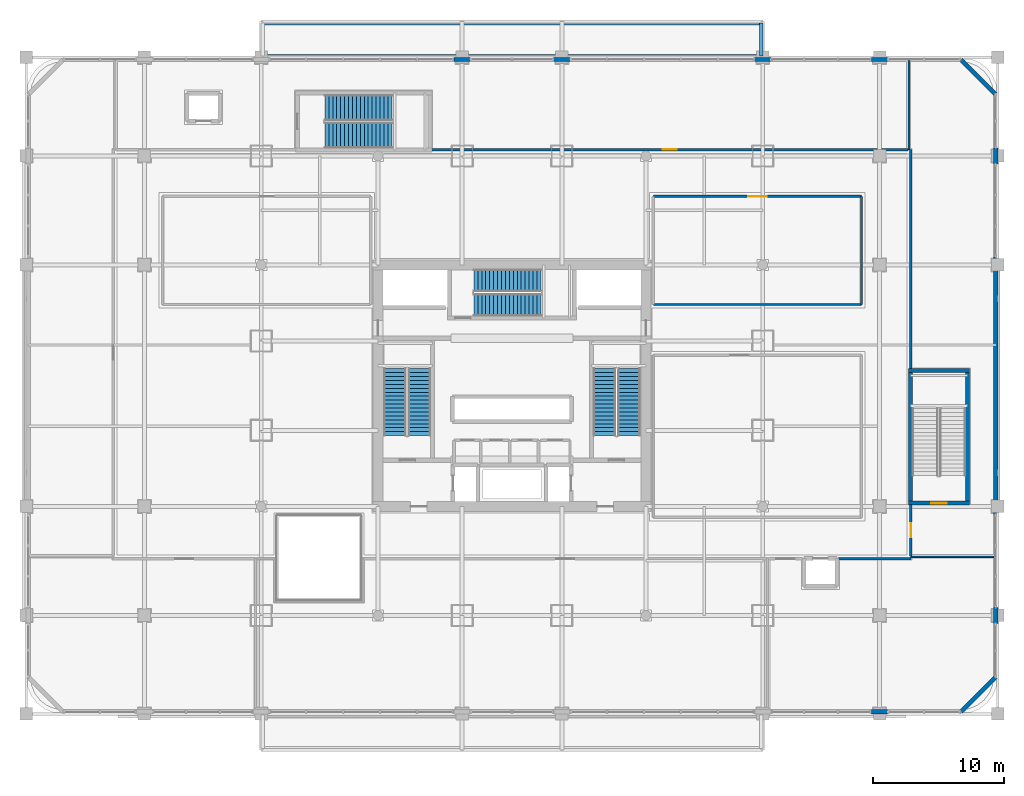
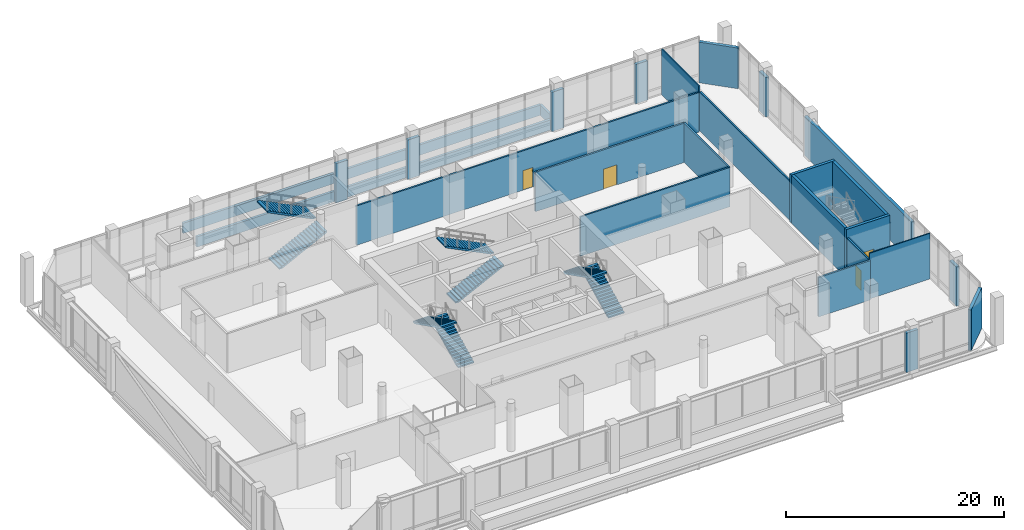
# One storey, part 31 of 43: 26 walls, 8 stair flights, 4 doors, 4 openings, 4 elements without a shape of their own.
"""IFC4 building model written with IfcOpenShell, lengths in metres."""

from ifc_helpers import new_model, si_unit, direction, frame, frame_2d, origin, place, context, subcontext, project, spatial, polyline, rectangle, outline, extrude, material, layer, layer_set, type_object, element, fill, aggregate, save


model = new_model("IFC4")

# Units and contexts
model_context = context("Model", 3, precision=1e-05, world=origin(), true_north=direction((0.0, 1.0)))
body_context = subcontext(model_context, "Body", "Model", "MODEL_VIEW")
ifc_project = project(units=[si_unit("LENGTHUNIT", "METRE"), si_unit("AREAUNIT", "SQUARE_METRE"), si_unit("VOLUMEUNIT", "CUBIC_METRE"), si_unit("PLANEANGLEUNIT", "RADIAN"), si_unit("MASSUNIT", "GRAM", prefix="KILO")], contexts=[model_context])

# Site, building, storey
site_placement = place(None, origin())
site = spatial("IfcSite", under=ifc_project, at=site_placement, CompositionType="ELEMENT")
building_placement = place(site_placement, origin())
building = spatial("IfcBuilding", under=site, at=building_placement, Name="Punatoya Terracotta Tower", CompositionType="ELEMENT")
storey_placement = place(building_placement, frame((0.0, 0.0, 6.0)))
storey = spatial("IfcBuildingStorey", under=building, at=storey_placement, Name="L01", CompositionType="ELEMENT", Elevation=6.0)

# Wall
ifc_material_1 = material(Name="Gypsum Fireboard + Steel Stud", Category="steel")
ifc_layer_1 = layer(ifc_material_1, 0.179931640625)
ifc_layer_set_1 = layer_set([ifc_layer_1], Name="Gypsum Fireboard + Steel Stud")
wall_type_1 = type_object("IfcWallType", Name="WL-CORR-180", PredefinedType="PARTITIONING", material=ifc_layer_set_1)
wall_1_placement = place(storey_placement, frame((24.860107421875, -13.179931640625, 0.0), z_axis=(0.0, 0.0, 1.0), x_axis=(1.0, 0.0, 0.0)))
element("IfcWall", 1, at=wall_1_placement, inside=storey, type_object=wall_type_1, Name="L01 South-East Waterfront Symposium Room Partition 20", PredefinedType="PARTITIONING", context=body_context, shape_type="SweptSolid", body=[
    extrude(rectangle(XDim=5.519775390625, YDim=0.179931640625, at=frame_2d((2.759765625, 0.0))), origin(), (0.0, 0.0, 1.0), 4.4140625),
])

# Wall, opening, door
wall_2_placement = place(storey_placement, frame((30.3798828125, -12.9599609375, 0.0), z_axis=(0.0, 0.0, 1.0), x_axis=(0.0, 1.0, 0.0)))
wall_2 = element("IfcWall", 2, at=wall_2_placement, inside=storey, type_object=wall_type_1, Name="L01 East Client Hospitality Centre Partition 24", PredefinedType="PARTITIONING", context=body_context, shape_type="SweptSolid", body=[
    extrude(rectangle(XDim=3.89990234375, YDim=0.179931640625, at=frame_2d((1.949951171875, 0.0))), origin(), (0.0, 0.0, 1.0), 4.4140625),
])
opening_1_placement = place(wall_2_placement, frame((1.425048828125, 0.0, 0.0)))
opening_1 = element("IfcOpeningElement", 3, at=opening_1_placement, cuts=wall_2, Name="Opening OD-01", PredefinedType="OPENING", context=body_context, shape_type="SweptSolid", body=[
    extrude(rectangle(XDim=1.050048828125, YDim=2.199951171875, at=frame_2d((0.52490234375, 1.10009765625))), frame((0.0, 0.099853515625, 0.0), z_axis=(0.0, -1.0, 0.0), x_axis=(1.0, 0.0, 0.0)), (0.0, 0.0, 1.0), 0.199951171875),
])
ifc_material_2 = material(Name="Bengal Teak Solid-Core Leaf")
door_type_1 = type_object("IfcDoorType", Name="DR-OFF-1050", OperationType="NOTDEFINED", PredefinedType="DOOR", material=ifc_material_2)
door_1_placement = place(opening_1_placement, origin())
door_1 = element("IfcDoor", 4, at=door_1_placement, inside=storey, type_object=door_type_1, Name="L01 East Client Hospitality Centre Door", OperationType="SINGLE_SWING_RIGHT", OverallHeight=2.199951171875, OverallWidth=1.050048828125, PredefinedType="DOOR", context=body_context, shape_type="SweptSolid", body=[
    extrude(rectangle(XDim=1.050048828125, YDim=2.199951171875, at=frame_2d((0.52490234375, 1.10009765625))), frame((0.0, 0.02490234375, 0.0), z_axis=(0.0, -1.0, 0.0), x_axis=(1.0, 0.0, 0.0)), (0.0, 0.0, 1.0), 0.050048828125),
])
fill(opening_1, door_1)

# Wall
wall_3_placement = place(storey_placement, frame((30.3798828125, 1.260009765625, 0.0), z_axis=(0.0, 0.0, 1.0), x_axis=(0.0, 1.0, 0.0)))
element("IfcWall", 5, at=wall_3_placement, inside=storey, type_object=wall_type_1, Name="L01 East Client Hospitality Centre Partition 25", PredefinedType="PARTITIONING", context=body_context, shape_type="SweptSolid", body=[
    extrude(rectangle(XDim=16.719970703125, YDim=0.179931640625, at=frame_2d((8.35986328125, 0.0))), origin(), (0.0, 0.0, 1.0), 4.4140625),
])

# Wall, opening, door
wall_4_placement = place(storey_placement, frame((30.159912109375, 17.97998046875, 0.0), z_axis=(0.0, 0.0, 1.0), x_axis=(-1.0, 0.0, 0.0)))
wall_4 = element("IfcWall", 6, at=wall_4_placement, inside=storey, type_object=wall_type_1, Name="L01 North Podium Administration Workplace Partition 27", PredefinedType="PARTITIONING", context=body_context, shape_type="SweptSolid", body=[
    extrude(rectangle(XDim=36.2998046875, YDim=0.179931640625, at=frame_2d((18.14990234375, 0.0))), origin(), (0.0, 0.0, 1.0), 4.4140625),
])
opening_2_placement = place(wall_4_placement, frame((17.625, 0.0, 0.0)))
opening_2 = element("IfcOpeningElement", 7, at=opening_2_placement, cuts=wall_4, Name="Opening OD-01", PredefinedType="OPENING", context=body_context, shape_type="SweptSolid", body=[
    extrude(rectangle(XDim=1.050048828125, YDim=2.199951171875, at=frame_2d((0.52490234375, 1.10009765625))), frame((0.0, 0.099853515625, 0.0), z_axis=(0.0, -1.0, 0.0), x_axis=(1.0, 0.0, 0.0)), (0.0, 0.0, 1.0), 0.199951171875),
])
door_2_placement = place(opening_2_placement, origin())
door_2 = element("IfcDoor", 8, at=door_2_placement, inside=storey, type_object=door_type_1, Name="L01 North Podium Administration Workplace Door", OperationType="SINGLE_SWING_LEFT", OverallHeight=2.199951171875, OverallWidth=1.050048828125, PredefinedType="DOOR", context=body_context, shape_type="SweptSolid", body=[
    extrude(rectangle(XDim=1.050048828125, YDim=2.199951171875, at=frame_2d((0.52490234375, 1.10009765625))), frame((0.0, 0.02490234375, 0.0), z_axis=(0.0, -1.0, 0.0), x_axis=(1.0, 0.0, 0.0)), (0.0, 0.0, 1.0), 0.050048828125),
])
fill(opening_2, door_2)

wall_5_placement = place(storey_placement, frame((10.760009765625, 14.419921875, 0.0), z_axis=(0.0, 0.0, 1.0), x_axis=(1.0, 0.0, 0.0)))
wall_5 = element("IfcWall", 9, at=wall_5_placement, inside=storey, type_object=wall_type_1, Name="L01 Press Briefing and Translation Studio Partition 33", PredefinedType="PARTITIONING", context=body_context, shape_type="SweptSolid", body=[
    extrude(rectangle(XDim=15.860107421875, YDim=0.179931640625, at=frame_2d((7.93017578125, 0.0))), origin(), (0.0, 0.0, 1.0), 4.4140625),
])
opening_3_placement = place(wall_5_placement, frame((7.22998046875, 0.0, 0.0)))
opening_3 = element("IfcOpeningElement", 10, at=opening_3_placement, cuts=wall_5, Name="Opening BD-01", PredefinedType="OPENING", context=body_context, shape_type="SweptSolid", body=[
    extrude(rectangle(XDim=1.39990234375, YDim=2.25, at=frame_2d((0.699951171875, 1.125))), frame((0.0, 0.099853515625, 0.0), z_axis=(0.0, -1.0, 0.0), x_axis=(1.0, 0.0, 0.0)), (0.0, 0.0, 1.0), 0.199951171875),
])
ifc_material_3 = material(Name="Bengal Teak Acoustic Leaf")
door_type_2 = type_object("IfcDoorType", Name="DR-BRD-1400", OperationType="NOTDEFINED", PredefinedType="DOOR", material=ifc_material_3)
door_3_placement = place(opening_3_placement, origin())
door_3 = element("IfcDoor", 11, at=door_3_placement, inside=storey, type_object=door_type_2, Name="L01 Press Briefing and Translation Studio Door", OperationType="SINGLE_SWING_LEFT", OverallHeight=2.25, OverallWidth=1.39990234375, PredefinedType="DOOR", context=body_context, shape_type="SweptSolid", body=[
    extrude(rectangle(XDim=1.39990234375, YDim=2.25, at=frame_2d((0.699951171875, 1.125))), frame((0.0, 0.02490234375, 0.0), z_axis=(0.0, -1.0, 0.0), x_axis=(1.0, 0.0, 0.0)), (0.0, 0.0, 1.0), 0.050048828125),
])
fill(opening_3, door_3)

# Walls
wall_6_placement = place(storey_placement, frame((26.6201171875, 14.419921875, 0.0), z_axis=(0.0, 0.0, 1.0), x_axis=(0.0, -1.0, 0.0)))
element("IfcWall", 12, at=wall_6_placement, inside=storey, type_object=wall_type_1, Name="L01 Press Briefing and Translation Studio Partition 34", PredefinedType="PARTITIONING", context=body_context, shape_type="SweptSolid", body=[
    extrude(rectangle(XDim=8.239990234375, YDim=0.179931640625, at=frame_2d((4.1201171875, 0.0))), origin(), (0.0, 0.0, 1.0), 4.4140625),
])
wall_7_placement = place(storey_placement, frame((26.6201171875, 6.179931640625, 0.0), z_axis=(0.0, 0.0, 1.0), x_axis=(-1.0, 0.0, 0.0)))
element("IfcWall", 13, at=wall_7_placement, inside=storey, type_object=wall_type_1, Name="L01 Press Briefing and Translation Studio Partition 35", PredefinedType="PARTITIONING", context=body_context, shape_type="SweptSolid", body=[
    extrude(rectangle(XDim=15.860107421875, YDim=0.179931640625, at=frame_2d((7.93017578125, 0.0))), origin(), (0.0, 0.0, 1.0), 4.4140625),
])
ifc_material_4 = material(Name="Precast concrete C40/50", Category="concrete")
ifc_layer_2 = layer(ifc_material_4, 0.320068359375)
ifc_layer_set_2 = layer_set([ifc_layer_2], Name="Precast concrete C40/50")
wall_type_2 = type_object("IfcWallType", Name="WL-EXT-320", PredefinedType="SOLIDWALL", material=ifc_layer_set_2)
for number, where, z_axis, x_axis, name in (
    (14, (-3.179931640625, 24.840087890625, 0.0), (0.0, 0.0, 1.0), (-1.0, 0.0, 0.0), "L01 North Column Cladding Pier 3"),
    (15, (4.419921875, 24.840087890625, 0.0), (0.0, 0.0, 1.0), (-1.0, 0.0, 0.0), "L01 North Column Cladding Pier 4"),
    (16, (19.719970703125, 24.840087890625, 0.0), (0.0, 0.0, 1.0), (-1.0, 0.0, 0.0), "L01 North Column Cladding Pier 5"),
):
    element("IfcWall", number, at=place(storey_placement, frame(where, z_axis=z_axis, x_axis=x_axis)), inside=storey, type_object=wall_type_2, Name=name, PredefinedType="SOLIDWALL", context=body_context, shape_type="SweptSolid", body=[
        extrude(rectangle(XDim=1.239990234375, YDim=0.320068359375, at=frame_2d((0.6201171875, 0.0))), origin(), (0.0, 0.0, 1.0), 4.4140625),
    ])
for number, where, z_axis, x_axis, name in (
    (17, (27.3798828125, -24.840087890625, 0.0), (0.0, 0.0, 1.0), (1.0, 0.0, 0.0), "L01 South Column Cladding Pier 6"),
    (18, (28.6201171875, 24.840087890625, 0.0), (0.0, 0.0, 1.0), (-1.0, 0.0, 0.0), "L01 North Column Cladding Pier 6"),
):
    element("IfcWall", number, at=place(storey_placement, frame(where, z_axis=z_axis, x_axis=x_axis)), inside=storey, type_object=wall_type_2, Name=name, PredefinedType="SOLIDWALL", context=body_context, shape_type="SweptSolid", body=[
        extrude(rectangle(XDim=1.240234375, YDim=0.320068359375, at=frame_2d((0.6201171875, 0.0))), origin(), (0.0, 0.0, 1.0), 4.4140625),
    ])
wall_8_placement = place(storey_placement, frame((36.840087890625, 9.820068359375, 0.0), z_axis=(0.0, 0.0, 1.0), x_axis=(0.0, -1.0, 0.0)))
element("IfcWall", 19, at=wall_8_placement, inside=storey, type_object=wall_type_2, Name="L01 East Braced Terracotta Shear Wall", PredefinedType="SOLIDWALL", context=body_context, shape_type="SweptSolid", body=[
    extrude(rectangle(XDim=19.64013671875, YDim=0.320068359375, at=frame_2d((9.820068359375, 0.0))), origin(), (0.0, 0.0, 1.0), 4.4140625),
])
for number, where, z_axis, x_axis, name in (
    (20, (36.840087890625, -16.8798828125, 0.0), (0.0, 0.0, 1.0), (0.0, -1.0, 0.0), "L01 East Pier 11-B"),
    (21, (36.840087890625, 18.1201171875, 0.0), (0.0, 0.0, 1.0), (0.0, -1.0, 0.0), "L01 East Pier 11-G"),
):
    element("IfcWall", number, at=place(storey_placement, frame(where, z_axis=z_axis, x_axis=x_axis)), inside=storey, type_object=wall_type_2, Name=name, PredefinedType="SOLIDWALL", context=body_context, shape_type="SweptSolid", body=[
        extrude(rectangle(XDim=1.240234375, YDim=0.320068359375, at=frame_2d((0.6201171875, 0.0))), origin(), (0.0, 0.0, 1.0), 4.4140625),
    ])
for number, where, z_axis, x_axis, name in (
    (22, (34.199951171875, 24.840087890625, 0.0), (0.0, 0.0, 1.0), (0.707106781187, -0.707106781187, 0.0), "L01 Terracotta Corner Pier 3"),
    (23, (36.840087890625, -22.199951171875, 0.0), (0.0, 0.0, 1.0), (-0.707106781187, -0.707106781187, 0.0), "L01 Terracotta Corner Pier 4"),
):
    element("IfcWall", number, at=place(storey_placement, frame(where, z_axis=z_axis, x_axis=x_axis)), inside=storey, type_object=wall_type_2, Name=name, PredefinedType="SOLIDWALL", context=body_context, shape_type="SweptSolid", body=[
        extrude(rectangle(XDim=3.733642578125, YDim=0.320068359375, at=frame_2d((1.86669921875, 0.0))), origin(), (0.0, 0.0, 1.0), 4.56396484375),
    ])
ifc_material_5 = material(Name="Gypsum Partition + Steel Stud", Category="steel")
ifc_layer_3 = layer(ifc_material_5, 0.1201171875)
ifc_layer_set_3 = layer_set([ifc_layer_3], Name="Gypsum Partition + Steel Stud")
wall_type_3 = type_object("IfcWallType", Name="WL-OFF-120", PredefinedType="PARTITIONING", material=ifc_layer_set_3)
wall_9_placement = place(storey_placement, frame((30.3798828125, -13.0400390625, 0.0), z_axis=(0.0, 0.0, 1.0), x_axis=(1.0, 0.0, 0.0)))
element("IfcWall", 24, at=wall_9_placement, inside=storey, type_object=wall_type_3, Name="L01 South-East Waterfront Symposium Room Partition 21", PredefinedType="PARTITIONING", context=body_context, shape_type="SweptSolid", body=[
    extrude(rectangle(XDim=6.400146484375, YDim=0.1201171875, at=frame_2d((3.2001953125, 0.0))), origin(), (0.0, 0.0, 1.0), 5.1201171875),
])
wall_10_placement = place(storey_placement, frame((30.239990234375, 17.97998046875, 0.0), z_axis=(0.0, 0.0, 1.0), x_axis=(0.0, 1.0, 0.0)))
element("IfcWall", 25, at=wall_10_placement, inside=storey, type_object=wall_type_3, Name="L01 East Client Hospitality Centre Partition 26", PredefinedType="PARTITIONING", context=body_context, shape_type="SweptSolid", body=[
    extrude(rectangle(XDim=6.800048828125, YDim=0.1201171875, at=frame_2d((3.39990234375, 0.0))), origin(), (0.0, 0.0, 1.0), 5.1201171875),
])
ifc_layer_4 = layer(ifc_material_4, 0.260009765625)
ifc_layer_set_4 = layer_set([ifc_layer_4], Name="Precast concrete C40/50")
wall_type_4 = type_object("IfcWallType", Name="WL-PAR-260", PredefinedType="PARAPET", material=ifc_layer_set_4)
wall_11_placement = place(storey_placement, frame((-19.0, 25.10009765625, 0.0), z_axis=(0.0, 0.0, 1.0), x_axis=(1.0, 0.0, 0.0)))
element("IfcWall", 26, at=wall_11_placement, inside=storey, type_object=wall_type_4, Name="L01 Roof Parapet Wall PAR-L01-CANN-01", PredefinedType="PARAPET", context=body_context, shape_type="SweptSolid", body=[
    extrude(rectangle(XDim=38.0, YDim=0.260009765625, at=frame_2d((19.0, 0.0))), origin(), (0.0, 0.0, 1.0), 1.14990234375),
])
wall_12_placement = place(storey_placement, frame((19.0, 25.10009765625, 0.0), z_axis=(0.0, 0.0, 1.0), x_axis=(0.0, 1.0, 0.0)))
element("IfcWall", 27, at=wall_12_placement, inside=storey, type_object=wall_type_4, Name="L01 Roof Parapet Wall PAR-L01-CANN-02", PredefinedType="PARAPET", context=body_context, shape_type="SweptSolid", body=[
    extrude(rectangle(XDim=2.52001953125, YDim=0.260009765625, at=frame_2d((1.260009765625, 0.0))), origin(), (0.0, 0.0, 1.0), 1.14990234375),
])
wall_13_placement = place(storey_placement, frame((19.0, 27.6201171875, 0.0), z_axis=(0.0, 0.0, 1.0), x_axis=(-1.0, 0.0, 0.0)))
element("IfcWall", 28, at=wall_13_placement, inside=storey, type_object=wall_type_4, Name="L01 Roof Parapet Wall PAR-L01-CANN-03", PredefinedType="PARAPET", context=body_context, shape_type="SweptSolid", body=[
    extrude(rectangle(XDim=38.0, YDim=0.260009765625, at=frame_2d((19.0, 0.0))), origin(), (0.0, 0.0, 1.0), 1.14990234375),
])

# Wall, opening, door
ifc_material_6 = material(Name="Concrete C40/50", Category="concrete")
ifc_layer_5 = layer(ifc_material_6, 0.300048828125)
ifc_layer_set_5 = layer_set([ifc_layer_5], Name="Concrete C40/50")
wall_type_5 = type_object("IfcWallType", Name="WL-SHF-300", PredefinedType="SOLIDWALL", material=ifc_layer_set_5)
wall_14_placement = place(storey_placement, frame((30.199951171875, -8.949951171875, 0.0), z_axis=(0.0, 0.0, 1.0), x_axis=(1.0, 0.0, 0.0)))
wall_14 = element("IfcWall", 29, at=wall_14_placement, inside=storey, type_object=wall_type_5, Name="L01 ST-P2 South Structural Shaft Wall", PredefinedType="SOLIDWALL", context=body_context, shape_type="SweptSolid", body=[
    extrude(rectangle(XDim=4.650146484375, YDim=0.300048828125, at=frame_2d((2.3251953125, 0.0))), origin(), (0.0, 0.0, 1.0), 5.39990234375),
])
opening_4_placement = place(wall_14_placement, frame((1.735107421875, 0.0, 0.0)))
opening_4 = element("IfcOpeningElement", 30, at=opening_4_placement, cuts=wall_14, Name="Opening SD-01", PredefinedType="OPENING", context=body_context, shape_type="SweptSolid", body=[
    extrude(rectangle(XDim=1.179931640625, YDim=2.199951171875, at=frame_2d((0.58984375, 1.10009765625))), frame((0.0, 0.159912109375, 0.0), z_axis=(0.0, -1.0, 0.0), x_axis=(1.0, 0.0, 0.0)), (0.0, 0.0, 1.0), 0.320068359375),
])
ifc_material_7 = material(Name="Galvanised Steel Pressurized Stair Fire Door", Category="steel")
door_type_3 = type_object("IfcDoorType", Name="DR-STR-1180", OperationType="NOTDEFINED", PredefinedType="DOOR", material=ifc_material_7)
door_4_placement = place(opening_4_placement, origin())
door_4 = element("IfcDoor", 31, at=door_4_placement, inside=storey, type_object=door_type_3, Name="L01 Podium Stair ST-P2 Fire Door", OperationType="SINGLE_SWING_RIGHT", OverallHeight=2.199951171875, OverallWidth=1.179931640625, PredefinedType="DOOR", context=body_context, shape_type="SweptSolid", body=[
    extrude(rectangle(XDim=1.179931640625, YDim=2.199951171875, at=frame_2d((0.58984375, 1.10009765625))), frame((0.0, 0.02490234375, 0.0), z_axis=(0.0, -1.0, 0.0), x_axis=(1.0, 0.0, 0.0)), (0.0, 0.0, 1.0), 0.050048828125),
])
fill(opening_4, door_4)

# Walls
wall_15_placement = place(storey_placement, frame((34.85009765625, 1.14990234375, 0.0), z_axis=(0.0, 0.0, 1.0), x_axis=(-1.0, 0.0, 0.0)))
element("IfcWall", 32, at=wall_15_placement, inside=storey, type_object=wall_type_5, Name="L01 ST-P2 North Structural Shaft Wall", PredefinedType="SOLIDWALL", context=body_context, shape_type="SweptSolid", body=[
    extrude(rectangle(XDim=4.650146484375, YDim=0.300048828125, at=frame_2d((2.3251953125, 0.0))), origin(), (0.0, 0.0, 1.0), 5.39990234375),
])
for number, where, z_axis, x_axis, name in (
    (33, (30.35009765625, -8.800048828125, 0.0), (0.0, 0.0, 1.0), (0.0, 1.0, 0.0), "L01 ST-P2 West Structural Shaft Wall"),
    (34, (34.699951171875, 1.0, 0.0), (0.0, 0.0, 1.0), (0.0, -1.0, 0.0), "L01 ST-P2 East Structural Shaft Wall"),
):
    element("IfcWall", number, at=place(storey_placement, frame(where, z_axis=z_axis, x_axis=x_axis)), inside=storey, type_object=wall_type_5, Name=name, PredefinedType="SOLIDWALL", context=body_context, shape_type="SweptSolid", body=[
        extrude(rectangle(XDim=9.800048828125, YDim=0.300048828125, at=frame_2d((4.89990234375, 0.0))), origin(), (0.0, 0.0, 1.0), 5.39990234375),
    ])

# Stair, stair flights
stair_type_1 = type_object("IfcStairType", Name="STR-CORE-1550", PredefinedType="HALF_TURN_STAIR", material=ifc_material_6)
stair_1_placement = place(storey_placement, origin())
stair_1 = element("IfcStair", 35, at=stair_1_placement, inside=storey, type_object=stair_type_1, Name="L01 Protected Core Exit Stair ST-1", PredefinedType="HALF_TURN_STAIR")
stair_flight_type_1 = type_object("IfcStairFlightType", Name="SFL-CORE-1550", PredefinedType="STRAIGHT", material=ifc_material_6)
stair_flight_1_placement = place(storey_placement, frame((-7.050048828125, -3.800048828125, 0.0), z_axis=(0.0, 0.0, 1.0), x_axis=(0.0, 1.0, 0.0)))
stair_flight_1 = element("IfcStairFlight", 36, at=stair_flight_1_placement, type_object=stair_flight_type_1, Name="ST-1 flight 1", NumberOfRisers=18, NumberOfTreads=17, PredefinedType="STRAIGHT", RiserHeight=0.15, TreadLength=0.3, context=body_context, shape_type="SweptSolid", body=[
    extrude(outline(polyline([(0.0, 0.0), (0.0, 0.14990234375), (0.300048828125, 0.14990234375), (0.300048828125, 0.300048828125), (0.60009765625, 0.300048828125), (0.60009765625, 0.449951171875), (0.89990234375, 0.449951171875), (0.89990234375, 0.60009765625), (1.199951171875, 0.60009765625), (1.199951171875, 0.75), (1.5, 0.75), (1.5, 0.89990234375), (1.800048828125, 0.89990234375), (1.800048828125, 1.050048828125), (2.10009765625, 1.050048828125), (2.10009765625, 1.199951171875), (2.39990234375, 1.199951171875), (2.39990234375, 1.35009765625), (2.699951171875, 1.35009765625), (2.699951171875, 1.5), (3.0, 1.5), (3.0, 1.64990234375), (3.300048828125, 1.64990234375), (3.300048828125, 1.800048828125), (3.60009765625, 1.800048828125), (3.60009765625, 1.949951171875), (3.89990234375, 1.949951171875), (3.89990234375, 2.10009765625), (4.199951171875, 2.10009765625), (4.199951171875, 2.25), (4.5, 2.25), (4.5, 2.39990234375), (4.800048828125, 2.39990234375), (4.800048828125, 2.550048828125), (5.10009765625, 2.550048828125), (5.10009765625, 2.699951171875), (5.10009765625, 2.38232421875), (0.335205078125, 0.0), (0.0, 0.0)])), frame((0.0, 0.85009765625, 0.0), z_axis=(0.0, -1.0, 0.0), x_axis=(1.0, 0.0, 0.0)), (0.0, 0.0, 1.0), 1.699951171875),
])
stair_flight_2_placement = place(storey_placement, frame((-8.89990234375, 1.300048828125, 2.699951171875), z_axis=(0.0, 0.0, 1.0), x_axis=(0.0, -1.0, 0.0)))
stair_flight_2 = element("IfcStairFlight", 37, at=stair_flight_2_placement, type_object=stair_flight_type_1, Name="ST-1 flight 2", NumberOfRisers=18, NumberOfTreads=17, PredefinedType="STRAIGHT", RiserHeight=0.15, TreadLength=0.3, context=body_context, shape_type="SweptSolid", body=[
    extrude(outline(polyline([(0.0, 0.0), (0.0, 0.14990234375), (0.300048828125, 0.14990234375), (0.300048828125, 0.300048828125), (0.60009765625, 0.300048828125), (0.60009765625, 0.449951171875), (0.89990234375, 0.449951171875), (0.89990234375, 0.60009765625), (1.199951171875, 0.60009765625), (1.199951171875, 0.75), (1.5, 0.75), (1.5, 0.89990234375), (1.800048828125, 0.89990234375), (1.800048828125, 1.050048828125), (2.10009765625, 1.050048828125), (2.10009765625, 1.199951171875), (2.39990234375, 1.199951171875), (2.39990234375, 1.35009765625), (2.699951171875, 1.35009765625), (2.699951171875, 1.5), (3.0, 1.5), (3.0, 1.64990234375), (3.300048828125, 1.64990234375), (3.300048828125, 1.800048828125), (3.60009765625, 1.800048828125), (3.60009765625, 1.949951171875), (3.89990234375, 1.949951171875), (3.89990234375, 2.10009765625), (4.199951171875, 2.10009765625), (4.199951171875, 2.25), (4.5, 2.25), (4.5, 2.39990234375), (4.800048828125, 2.39990234375), (4.800048828125, 2.550048828125), (5.10009765625, 2.550048828125), (5.10009765625, 2.699951171875), (5.10009765625, 2.38232421875), (0.335205078125, 0.0), (0.0, 0.0)])), frame((0.0, 0.85009765625, 0.0), z_axis=(0.0, -1.0, 0.0), x_axis=(1.0, 0.0, 0.0)), (0.0, 0.0, 1.0), 1.699951171875),
])
aggregate(stair_1, [stair_flight_1, stair_flight_2])

stair_type_2 = type_object("IfcStairType", Name="STR-LOB-1650", PredefinedType="HALF_TURN_STAIR", material=ifc_material_6)
stair_2_placement = place(storey_placement, origin())
stair_2 = element("IfcStair", 38, at=stair_2_placement, inside=storey, type_object=stair_type_2, Name="L01 Protected Core Exit Stair ST-2", PredefinedType="HALF_TURN_STAIR")
stair_flight_type_2 = type_object("IfcStairFlightType", Name="SFL-LOB-1650", PredefinedType="STRAIGHT", material=ifc_material_6)
stair_flight_3_placement = place(storey_placement, frame((8.89990234375, -3.800048828125, 0.0), z_axis=(0.0, 0.0, 1.0), x_axis=(0.0, 1.0, 0.0)))
stair_flight_3 = element("IfcStairFlight", 39, at=stair_flight_3_placement, type_object=stair_flight_type_2, Name="ST-2 flight 1", NumberOfRisers=18, NumberOfTreads=17, PredefinedType="STRAIGHT", RiserHeight=0.15, TreadLength=0.3, context=body_context, shape_type="SweptSolid", body=[
    extrude(outline(polyline([(0.0, 0.0), (0.0, 0.14990234375), (0.300048828125, 0.14990234375), (0.300048828125, 0.300048828125), (0.60009765625, 0.300048828125), (0.60009765625, 0.449951171875), (0.89990234375, 0.449951171875), (0.89990234375, 0.60009765625), (1.199951171875, 0.60009765625), (1.199951171875, 0.75), (1.5, 0.75), (1.5, 0.89990234375), (1.800048828125, 0.89990234375), (1.800048828125, 1.050048828125), (2.10009765625, 1.050048828125), (2.10009765625, 1.199951171875), (2.39990234375, 1.199951171875), (2.39990234375, 1.35009765625), (2.699951171875, 1.35009765625), (2.699951171875, 1.5), (3.0, 1.5), (3.0, 1.64990234375), (3.300048828125, 1.64990234375), (3.300048828125, 1.800048828125), (3.60009765625, 1.800048828125), (3.60009765625, 1.949951171875), (3.89990234375, 1.949951171875), (3.89990234375, 2.10009765625), (4.199951171875, 2.10009765625), (4.199951171875, 2.25), (4.5, 2.25), (4.5, 2.39990234375), (4.800048828125, 2.39990234375), (4.800048828125, 2.550048828125), (5.10009765625, 2.550048828125), (5.10009765625, 2.699951171875), (5.10009765625, 2.38232421875), (0.335205078125, 0.0), (0.0, 0.0)])), frame((0.0, 0.85009765625, 0.0), z_axis=(0.0, -1.0, 0.0), x_axis=(1.0, 0.0, 0.0)), (0.0, 0.0, 1.0), 1.699951171875),
])
stair_flight_4_placement = place(storey_placement, frame((7.050048828125, 1.300048828125, 2.699951171875), z_axis=(0.0, 0.0, 1.0), x_axis=(0.0, -1.0, 0.0)))
stair_flight_4 = element("IfcStairFlight", 40, at=stair_flight_4_placement, type_object=stair_flight_type_2, Name="ST-2 flight 2", NumberOfRisers=18, NumberOfTreads=17, PredefinedType="STRAIGHT", RiserHeight=0.15, TreadLength=0.3, context=body_context, shape_type="SweptSolid", body=[
    extrude(outline(polyline([(0.0, 0.0), (0.0, 0.14990234375), (0.300048828125, 0.14990234375), (0.300048828125, 0.300048828125), (0.60009765625, 0.300048828125), (0.60009765625, 0.449951171875), (0.89990234375, 0.449951171875), (0.89990234375, 0.60009765625), (1.199951171875, 0.60009765625), (1.199951171875, 0.75), (1.5, 0.75), (1.5, 0.89990234375), (1.800048828125, 0.89990234375), (1.800048828125, 1.050048828125), (2.10009765625, 1.050048828125), (2.10009765625, 1.199951171875), (2.39990234375, 1.199951171875), (2.39990234375, 1.35009765625), (2.699951171875, 1.35009765625), (2.699951171875, 1.5), (3.0, 1.5), (3.0, 1.64990234375), (3.300048828125, 1.64990234375), (3.300048828125, 1.800048828125), (3.60009765625, 1.800048828125), (3.60009765625, 1.949951171875), (3.89990234375, 1.949951171875), (3.89990234375, 2.10009765625), (4.199951171875, 2.10009765625), (4.199951171875, 2.25), (4.5, 2.25), (4.5, 2.39990234375), (4.800048828125, 2.39990234375), (4.800048828125, 2.550048828125), (5.10009765625, 2.550048828125), (5.10009765625, 2.699951171875), (5.10009765625, 2.38232421875), (0.335205078125, 0.0), (0.0, 0.0)])), frame((0.0, 0.85009765625, 0.0), z_axis=(0.0, -1.0, 0.0), x_axis=(1.0, 0.0, 0.0)), (0.0, 0.0, 1.0), 1.699951171875),
])
aggregate(stair_2, [stair_flight_3, stair_flight_4])

stair_type_3 = type_object("IfcStairType", Name="STR-POD-1800", PredefinedType="HALF_TURN_STAIR", material=ifc_material_6)
stair_3_placement = place(storey_placement, origin())
stair_3 = element("IfcStair", 41, at=stair_3_placement, inside=storey, type_object=stair_type_3, Name="L01 Podium North-West Exit Stair ST-P1", PredefinedType="HALF_TURN_STAIR")
stair_flight_type_3 = type_object("IfcStairFlightType", Name="SFL-POD-1800", PredefinedType="STRAIGHT", material=ifc_material_6)
stair_flight_5_placement = place(storey_placement, frame((-14.25, 19.074951171875, 0.0), z_axis=(0.0, 0.0, 1.0), x_axis=(1.0, 0.0, 0.0)))
stair_flight_5 = element("IfcStairFlight", 42, at=stair_flight_5_placement, type_object=stair_flight_type_3, Name="ST-P1 flight 1", NumberOfRisers=18, NumberOfTreads=17, PredefinedType="STRAIGHT", RiserHeight=0.15, TreadLength=0.3, context=body_context, shape_type="SweptSolid", body=[
    extrude(outline(polyline([(0.0, 0.0), (0.0, 0.14990234375), (0.300048828125, 0.14990234375), (0.300048828125, 0.300048828125), (0.60009765625, 0.300048828125), (0.60009765625, 0.449951171875), (0.89990234375, 0.449951171875), (0.89990234375, 0.60009765625), (1.199951171875, 0.60009765625), (1.199951171875, 0.75), (1.5, 0.75), (1.5, 0.89990234375), (1.800048828125, 0.89990234375), (1.800048828125, 1.050048828125), (2.10009765625, 1.050048828125), (2.10009765625, 1.199951171875), (2.39990234375, 1.199951171875), (2.39990234375, 1.35009765625), (2.699951171875, 1.35009765625), (2.699951171875, 1.5), (3.0, 1.5), (3.0, 1.64990234375), (3.300048828125, 1.64990234375), (3.300048828125, 1.800048828125), (3.60009765625, 1.800048828125), (3.60009765625, 1.949951171875), (3.89990234375, 1.949951171875), (3.89990234375, 2.10009765625), (4.199951171875, 2.10009765625), (4.199951171875, 2.25), (4.5, 2.25), (4.5, 2.39990234375), (4.800048828125, 2.39990234375), (4.800048828125, 2.550048828125), (5.10009765625, 2.550048828125), (5.10009765625, 2.699951171875), (5.10009765625, 2.38232421875), (0.335205078125, 0.0), (0.0, 0.0)])), frame((0.0, 0.97509765625, 0.0), z_axis=(0.0, -1.0, 0.0), x_axis=(1.0, 0.0, 0.0)), (0.0, 0.0, 1.0), 1.949951171875),
])
stair_flight_6_placement = place(storey_placement, frame((-9.14990234375, 21.175048828125, 2.699951171875), z_axis=(0.0, 0.0, 1.0), x_axis=(-1.0, 0.0, 0.0)))
stair_flight_6 = element("IfcStairFlight", 43, at=stair_flight_6_placement, type_object=stair_flight_type_3, Name="ST-P1 flight 2", NumberOfRisers=18, NumberOfTreads=17, PredefinedType="STRAIGHT", RiserHeight=0.15, TreadLength=0.3, context=body_context, shape_type="SweptSolid", body=[
    extrude(outline(polyline([(0.0, 0.0), (0.0, 0.14990234375), (0.300048828125, 0.14990234375), (0.300048828125, 0.300048828125), (0.60009765625, 0.300048828125), (0.60009765625, 0.449951171875), (0.89990234375, 0.449951171875), (0.89990234375, 0.60009765625), (1.199951171875, 0.60009765625), (1.199951171875, 0.75), (1.5, 0.75), (1.5, 0.89990234375), (1.800048828125, 0.89990234375), (1.800048828125, 1.050048828125), (2.10009765625, 1.050048828125), (2.10009765625, 1.199951171875), (2.39990234375, 1.199951171875), (2.39990234375, 1.35009765625), (2.699951171875, 1.35009765625), (2.699951171875, 1.5), (3.0, 1.5), (3.0, 1.64990234375), (3.300048828125, 1.64990234375), (3.300048828125, 1.800048828125), (3.60009765625, 1.800048828125), (3.60009765625, 1.949951171875), (3.89990234375, 1.949951171875), (3.89990234375, 2.10009765625), (4.199951171875, 2.10009765625), (4.199951171875, 2.25), (4.5, 2.25), (4.5, 2.39990234375), (4.800048828125, 2.39990234375), (4.800048828125, 2.550048828125), (5.10009765625, 2.550048828125), (5.10009765625, 2.699951171875), (5.10009765625, 2.38232421875), (0.335205078125, 0.0), (0.0, 0.0)])), frame((0.0, 0.97509765625, 0.0), z_axis=(0.0, -1.0, 0.0), x_axis=(1.0, 0.0, 0.0)), (0.0, 0.0, 1.0), 1.949951171875),
])
aggregate(stair_3, [stair_flight_5, stair_flight_6])

stair_type_4 = type_object("IfcStairType", Name="STR-TER-1450", PredefinedType="HALF_TURN_STAIR", material=ifc_material_6)
stair_4_placement = place(storey_placement, origin())
stair_4 = element("IfcStair", 44, at=stair_4_placement, inside=storey, type_object=stair_type_4, Name="L01 Protected Core Exit Stair ST-3", PredefinedType="HALF_TURN_STAIR")
stair_flight_type_4 = type_object("IfcStairFlightType", Name="SFL-TER-1450", PredefinedType="STRAIGHT", material=ifc_material_6)
stair_flight_7_placement = place(storey_placement, frame((-2.89990234375, 6.14990234375, 0.0), z_axis=(0.0, 0.0, 1.0), x_axis=(1.0, 0.0, 0.0)))
stair_flight_7 = element("IfcStairFlight", 45, at=stair_flight_7_placement, type_object=stair_flight_type_4, Name="ST-3 flight 1", NumberOfRisers=18, NumberOfTreads=17, PredefinedType="STRAIGHT", RiserHeight=0.15, TreadLength=0.3, context=body_context, shape_type="SweptSolid", body=[
    extrude(outline(polyline([(0.0, 0.0), (0.0, 0.14990234375), (0.300048828125, 0.14990234375), (0.300048828125, 0.300048828125), (0.60009765625, 0.300048828125), (0.60009765625, 0.449951171875), (0.89990234375, 0.449951171875), (0.89990234375, 0.60009765625), (1.199951171875, 0.60009765625), (1.199951171875, 0.75), (1.5, 0.75), (1.5, 0.89990234375), (1.800048828125, 0.89990234375), (1.800048828125, 1.050048828125), (2.10009765625, 1.050048828125), (2.10009765625, 1.199951171875), (2.39990234375, 1.199951171875), (2.39990234375, 1.35009765625), (2.699951171875, 1.35009765625), (2.699951171875, 1.5), (3.0, 1.5), (3.0, 1.64990234375), (3.300048828125, 1.64990234375), (3.300048828125, 1.800048828125), (3.60009765625, 1.800048828125), (3.60009765625, 1.949951171875), (3.89990234375, 1.949951171875), (3.89990234375, 2.10009765625), (4.199951171875, 2.10009765625), (4.199951171875, 2.25), (4.5, 2.25), (4.5, 2.39990234375), (4.800048828125, 2.39990234375), (4.800048828125, 2.550048828125), (5.10009765625, 2.550048828125), (5.10009765625, 2.699951171875), (5.10009765625, 2.38232421875), (0.335205078125, 0.0), (0.0, 0.0)])), frame((0.0, 0.85009765625, 0.0), z_axis=(0.0, -1.0, 0.0), x_axis=(1.0, 0.0, 0.0)), (0.0, 0.0, 1.0), 1.699951171875),
])
stair_flight_8_placement = place(storey_placement, frame((2.199951171875, 8.0, 2.699951171875), z_axis=(0.0, 0.0, 1.0), x_axis=(-1.0, 0.0, 0.0)))
stair_flight_8 = element("IfcStairFlight", 46, at=stair_flight_8_placement, type_object=stair_flight_type_4, Name="ST-3 flight 2", NumberOfRisers=18, NumberOfTreads=17, PredefinedType="STRAIGHT", RiserHeight=0.15, TreadLength=0.3, context=body_context, shape_type="SweptSolid", body=[
    extrude(outline(polyline([(0.0, 0.0), (0.0, 0.14990234375), (0.300048828125, 0.14990234375), (0.300048828125, 0.300048828125), (0.60009765625, 0.300048828125), (0.60009765625, 0.449951171875), (0.89990234375, 0.449951171875), (0.89990234375, 0.60009765625), (1.199951171875, 0.60009765625), (1.199951171875, 0.75), (1.5, 0.75), (1.5, 0.89990234375), (1.800048828125, 0.89990234375), (1.800048828125, 1.050048828125), (2.10009765625, 1.050048828125), (2.10009765625, 1.199951171875), (2.39990234375, 1.199951171875), (2.39990234375, 1.35009765625), (2.699951171875, 1.35009765625), (2.699951171875, 1.5), (3.0, 1.5), (3.0, 1.64990234375), (3.300048828125, 1.64990234375), (3.300048828125, 1.800048828125), (3.60009765625, 1.800048828125), (3.60009765625, 1.949951171875), (3.89990234375, 1.949951171875), (3.89990234375, 2.10009765625), (4.199951171875, 2.10009765625), (4.199951171875, 2.25), (4.5, 2.25), (4.5, 2.39990234375), (4.800048828125, 2.39990234375), (4.800048828125, 2.550048828125), (5.10009765625, 2.550048828125), (5.10009765625, 2.699951171875), (5.10009765625, 2.38232421875), (0.335205078125, 0.0), (0.0, 0.0)])), frame((0.0, 0.85009765625, 0.0), z_axis=(0.0, -1.0, 0.0), x_axis=(1.0, 0.0, 0.0)), (0.0, 0.0, 1.0), 1.699951171875),
])
aggregate(stair_4, [stair_flight_7, stair_flight_8])

save(model, "model.ifc")
